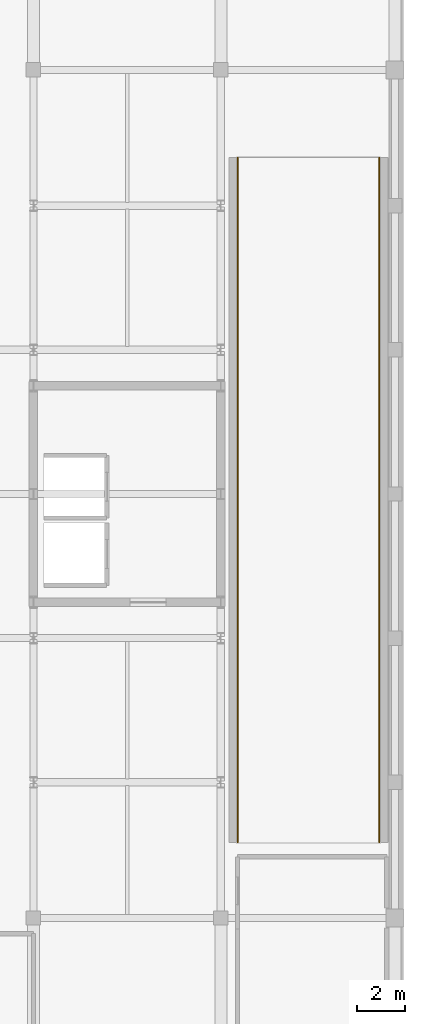
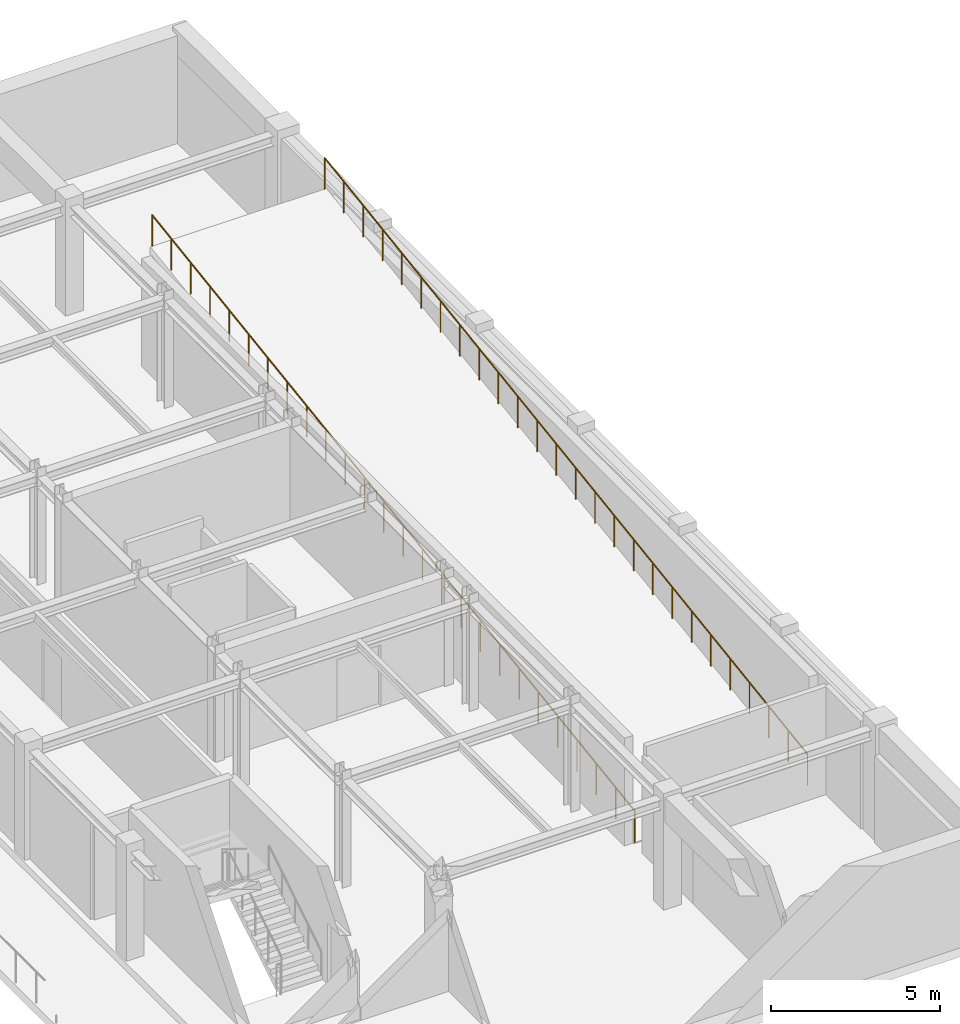
# One storey, part 12 of 12: 2 railings.
"""IFC4 building model written with IfcOpenShell, lengths in metres."""

from ifc_helpers import new_model, si_unit, direction, frame, origin, origin_2d, place, context, subcontext, project, spatial, circle, extrude, material, type_object, element, save


model = new_model("IFC4")

# Units and contexts
model_context = context("Model", 3, precision=1e-05, world=origin(), true_north=direction((0.0, 1.0)))
body_context = subcontext(model_context, "Body", "Model", "MODEL_VIEW")
ifc_project = project(units=[si_unit("LENGTHUNIT", "METRE"), si_unit("AREAUNIT", "SQUARE_METRE"), si_unit("VOLUMEUNIT", "CUBIC_METRE"), si_unit("PLANEANGLEUNIT", "RADIAN"), si_unit("MASSUNIT", "GRAM", prefix="KILO")], contexts=[model_context])

# Site, building, storey
site_placement = place(None, origin())
site = spatial("IfcSite", under=ifc_project, at=site_placement, CompositionType="ELEMENT")
building_placement = place(site_placement, origin())
building = spatial("IfcBuilding", under=site, at=building_placement, Name="Kranzbogen Civic Tower", CompositionType="ELEMENT")
storey_placement = place(building_placement, frame((0.0, 0.0, -4.199951171875)))
storey = spatial("IfcBuildingStorey", under=building, at=storey_placement, Name="B01", CompositionType="ELEMENT", Elevation=-4.199951171875)

# Railings
ifc_material = material(Name="Steel S355", Category="steel")
railing_type = type_object("IfcRailingType", Name="Internal Stair and Void Steel Guardrail 1150", PredefinedType="GUARDRAIL", material=ifc_material)
railing_1_placement = place(storey_placement, frame((68.110107421875, 10.5, 0.0)))
element("IfcRailing", 1, at=railing_1_placement, inside=storey, type_object=railing_type, Name="B01 vehicle ramp FL2 W safety guardrail", PredefinedType="GUARDRAIL", context=body_context, shape_type="SweptSolid", body=[
    extrude(circle(Radius=0.02392578125, at=origin_2d()), frame((0.0, 0.0, 1.1259765625), z_axis=(0.0, 0.989315245327, 0.145792130665), x_axis=(-1.0, 0.0, 0.0)), (0.0, 0.0, 1.0), 28.807861328125),
    extrude(circle(Radius=0.02099609375, at=origin_2d()), origin(), (0.0, 0.0, 1.0), 1.101806640625),
    extrude(circle(Radius=0.02099609375, at=origin_2d()), frame((0.0, 1.139892578125, 0.16796875)), (0.0, 0.0, 1.0), 1.101806640625),
    extrude(circle(Radius=0.02099609375, at=origin_2d()), frame((0.0, 2.280029296875, 0.3359375)), (0.0, 0.0, 1.0), 1.101806640625),
    extrude(circle(Radius=0.02099609375, at=origin_2d()), frame((0.0, 3.419921875, 0.50390625)), (0.0, 0.0, 1.0), 1.101806640625),
    extrude(circle(Radius=0.02099609375, at=origin_2d()), frame((0.0, 4.56005859375, 0.671875)), (0.0, 0.0, 1.0), 1.101806640625),
    extrude(circle(Radius=0.02099609375, at=origin_2d()), frame((0.0, 5.699951171875, 0.840087890625)), (0.0, 0.0, 1.0), 1.101806640625),
    extrude(circle(Radius=0.02099609375, at=origin_2d()), frame((0.0, 6.840087890625, 1.008056640625)), (0.0, 0.0, 1.0), 1.101806640625),
    extrude(circle(Radius=0.02099609375, at=origin_2d()), frame((0.0, 7.97998046875, 1.176025390625)), (0.0, 0.0, 1.0), 1.101806640625),
    extrude(circle(Radius=0.02099609375, at=origin_2d()), frame((0.0, 9.1201171875, 1.343994140625)), (0.0, 0.0, 1.0), 1.101806640625),
    extrude(circle(Radius=0.02099609375, at=origin_2d()), frame((0.0, 10.260009765625, 1.511962890625)), (0.0, 0.0, 1.0), 1.101806640625),
    extrude(circle(Radius=0.02099609375, at=origin_2d()), frame((0.0, 11.39990234375, 1.679931640625)), (0.0, 0.0, 1.0), 1.101806640625),
    extrude(circle(Radius=0.02099609375, at=origin_2d()), frame((0.0, 12.5400390625, 1.847900390625)), (0.0, 0.0, 1.0), 1.101806640625),
    extrude(circle(Radius=0.02099609375, at=origin_2d()), frame((0.0, 13.679931640625, 2.015869140625)), (0.0, 0.0, 1.0), 1.101806640625),
    extrude(circle(Radius=0.02099609375, at=origin_2d()), frame((0.0, 14.820068359375, 2.18408203125)), (0.0, 0.0, 1.0), 1.101806640625),
    extrude(circle(Radius=0.02099609375, at=origin_2d()), frame((0.0, 15.9599609375, 2.35205078125)), (0.0, 0.0, 1.0), 1.101806640625),
    extrude(circle(Radius=0.02099609375, at=origin_2d()), frame((0.0, 17.10009765625, 2.52001953125)), (0.0, 0.0, 1.0), 1.101806640625),
    extrude(circle(Radius=0.02099609375, at=origin_2d()), frame((0.0, 18.239990234375, 2.68798828125)), (0.0, 0.0, 1.0), 1.101806640625),
    extrude(circle(Radius=0.02099609375, at=origin_2d()), frame((0.0, 19.3798828125, 2.85595703125)), (0.0, 0.0, 1.0), 1.101806640625),
    extrude(circle(Radius=0.02099609375, at=origin_2d()), frame((0.0, 20.52001953125, 3.02392578125)), (0.0, 0.0, 1.0), 1.101806640625),
    extrude(circle(Radius=0.02099609375, at=origin_2d()), frame((0.0, 21.659912109375, 3.19189453125)), (0.0, 0.0, 1.0), 1.101806640625),
    extrude(circle(Radius=0.02099609375, at=origin_2d()), frame((0.0, 22.800048828125, 3.35986328125)), (0.0, 0.0, 1.0), 1.101806640625),
    extrude(circle(Radius=0.02099609375, at=origin_2d()), frame((0.0, 23.93994140625, 3.528076171875)), (0.0, 0.0, 1.0), 1.101806640625),
    extrude(circle(Radius=0.02099609375, at=origin_2d()), frame((0.0, 25.080078125, 3.696044921875)), (0.0, 0.0, 1.0), 1.101806640625),
    extrude(circle(Radius=0.02099609375, at=origin_2d()), frame((0.0, 26.219970703125, 3.864013671875)), (0.0, 0.0, 1.0), 1.101806640625),
    extrude(circle(Radius=0.02099609375, at=origin_2d()), frame((0.0, 27.360107421875, 4.031982421875)), (0.0, 0.0, 1.0), 1.101806640625),
    extrude(circle(Radius=0.02099609375, at=origin_2d()), frame((0.0, 28.5, 4.199951171875)), (0.0, 0.0, 1.0), 1.101806640625),
])
railing_2_placement = place(storey_placement, frame((73.989990234375, 10.5, 0.0)))
element("IfcRailing", 2, at=railing_2_placement, inside=storey, type_object=railing_type, Name="B01 vehicle ramp FL2 E safety guardrail", PredefinedType="GUARDRAIL", context=body_context, shape_type="SweptSolid", body=[
    extrude(circle(Radius=0.02392578125, at=origin_2d()), frame((0.0, 0.0, 1.1259765625), z_axis=(0.0, 0.989315245327, 0.145792130665), x_axis=(-1.0, 0.0, 0.0)), (0.0, 0.0, 1.0), 28.807861328125),
    extrude(circle(Radius=0.02099609375, at=origin_2d()), origin(), (0.0, 0.0, 1.0), 1.101806640625),
    extrude(circle(Radius=0.02099609375, at=origin_2d()), frame((0.0, 1.139892578125, 0.16796875)), (0.0, 0.0, 1.0), 1.101806640625),
    extrude(circle(Radius=0.02099609375, at=origin_2d()), frame((0.0, 2.280029296875, 0.3359375)), (0.0, 0.0, 1.0), 1.101806640625),
    extrude(circle(Radius=0.02099609375, at=origin_2d()), frame((0.0, 3.419921875, 0.50390625)), (0.0, 0.0, 1.0), 1.101806640625),
    extrude(circle(Radius=0.02099609375, at=origin_2d()), frame((0.0, 4.56005859375, 0.671875)), (0.0, 0.0, 1.0), 1.101806640625),
    extrude(circle(Radius=0.02099609375, at=origin_2d()), frame((0.0, 5.699951171875, 0.840087890625)), (0.0, 0.0, 1.0), 1.101806640625),
    extrude(circle(Radius=0.02099609375, at=origin_2d()), frame((0.0, 6.840087890625, 1.008056640625)), (0.0, 0.0, 1.0), 1.101806640625),
    extrude(circle(Radius=0.02099609375, at=origin_2d()), frame((0.0, 7.97998046875, 1.176025390625)), (0.0, 0.0, 1.0), 1.101806640625),
    extrude(circle(Radius=0.02099609375, at=origin_2d()), frame((0.0, 9.1201171875, 1.343994140625)), (0.0, 0.0, 1.0), 1.101806640625),
    extrude(circle(Radius=0.02099609375, at=origin_2d()), frame((0.0, 10.260009765625, 1.511962890625)), (0.0, 0.0, 1.0), 1.101806640625),
    extrude(circle(Radius=0.02099609375, at=origin_2d()), frame((0.0, 11.39990234375, 1.679931640625)), (0.0, 0.0, 1.0), 1.101806640625),
    extrude(circle(Radius=0.02099609375, at=origin_2d()), frame((0.0, 12.5400390625, 1.847900390625)), (0.0, 0.0, 1.0), 1.101806640625),
    extrude(circle(Radius=0.02099609375, at=origin_2d()), frame((0.0, 13.679931640625, 2.015869140625)), (0.0, 0.0, 1.0), 1.101806640625),
    extrude(circle(Radius=0.02099609375, at=origin_2d()), frame((0.0, 14.820068359375, 2.18408203125)), (0.0, 0.0, 1.0), 1.101806640625),
    extrude(circle(Radius=0.02099609375, at=origin_2d()), frame((0.0, 15.9599609375, 2.35205078125)), (0.0, 0.0, 1.0), 1.101806640625),
    extrude(circle(Radius=0.02099609375, at=origin_2d()), frame((0.0, 17.10009765625, 2.52001953125)), (0.0, 0.0, 1.0), 1.101806640625),
    extrude(circle(Radius=0.02099609375, at=origin_2d()), frame((0.0, 18.239990234375, 2.68798828125)), (0.0, 0.0, 1.0), 1.101806640625),
    extrude(circle(Radius=0.02099609375, at=origin_2d()), frame((0.0, 19.3798828125, 2.85595703125)), (0.0, 0.0, 1.0), 1.101806640625),
    extrude(circle(Radius=0.02099609375, at=origin_2d()), frame((0.0, 20.52001953125, 3.02392578125)), (0.0, 0.0, 1.0), 1.101806640625),
    extrude(circle(Radius=0.02099609375, at=origin_2d()), frame((0.0, 21.659912109375, 3.19189453125)), (0.0, 0.0, 1.0), 1.101806640625),
    extrude(circle(Radius=0.02099609375, at=origin_2d()), frame((0.0, 22.800048828125, 3.35986328125)), (0.0, 0.0, 1.0), 1.101806640625),
    extrude(circle(Radius=0.02099609375, at=origin_2d()), frame((0.0, 23.93994140625, 3.528076171875)), (0.0, 0.0, 1.0), 1.101806640625),
    extrude(circle(Radius=0.02099609375, at=origin_2d()), frame((0.0, 25.080078125, 3.696044921875)), (0.0, 0.0, 1.0), 1.101806640625),
    extrude(circle(Radius=0.02099609375, at=origin_2d()), frame((0.0, 26.219970703125, 3.864013671875)), (0.0, 0.0, 1.0), 1.101806640625),
    extrude(circle(Radius=0.02099609375, at=origin_2d()), frame((0.0, 27.360107421875, 4.031982421875)), (0.0, 0.0, 1.0), 1.101806640625),
    extrude(circle(Radius=0.02099609375, at=origin_2d()), frame((0.0, 28.5, 4.199951171875)), (0.0, 0.0, 1.0), 1.101806640625),
])

save(model, "model.ifc")
